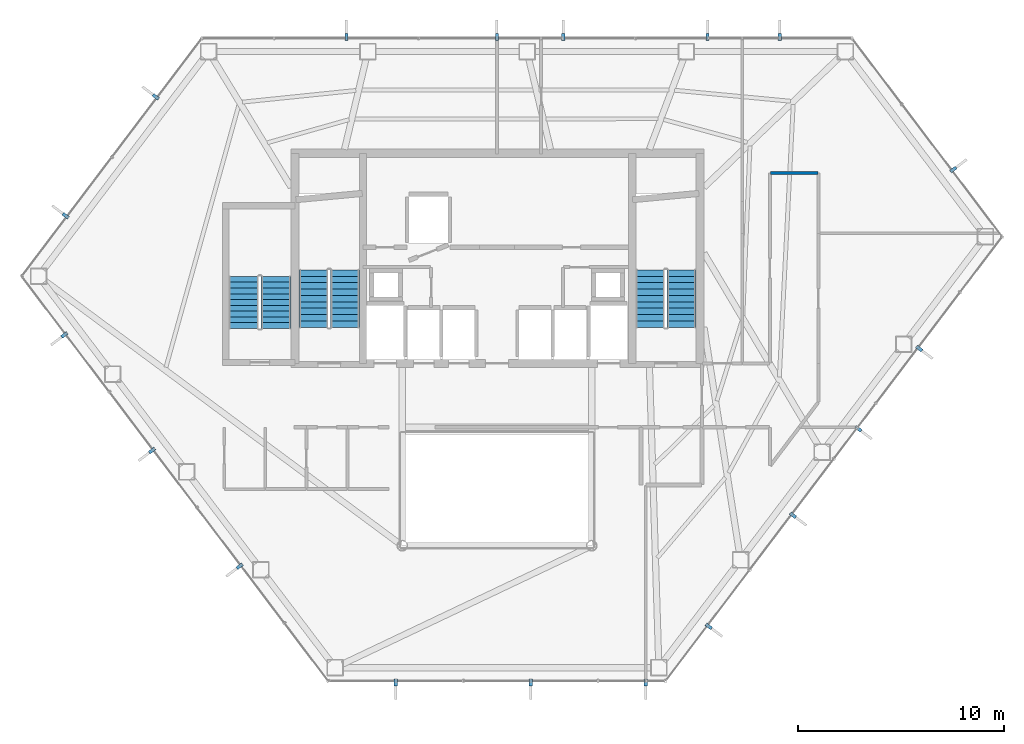
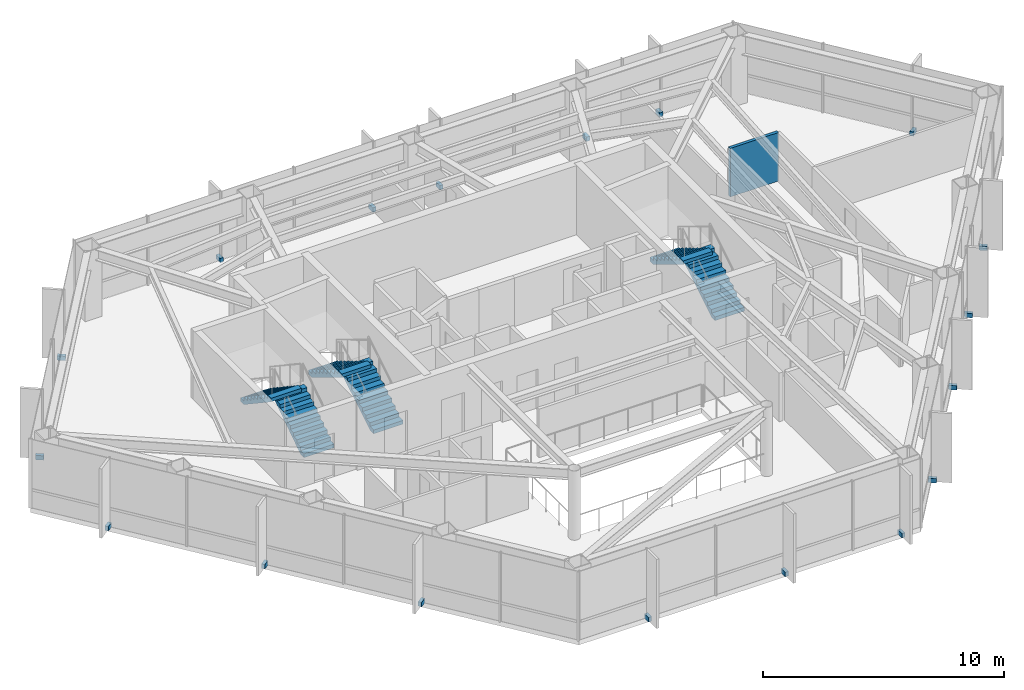
# One storey, part 27 of 28: 18 discrete accessories, 6 stair flights, 1 wall, 3 elements without a shape of their own.
"""IFC4 building model written with IfcOpenShell, lengths in metres."""

from ifc_helpers import new_model, si_unit, direction, frame, frame_2d, origin, origin_2d, place, context, subcontext, project, spatial, polyline, rectangle, outline, extrude, material, layer, layer_set, type_object, element, aggregate, save


model = new_model("IFC4")

# Units and contexts
model_context = context("Model", 3, precision=1e-05, world=origin(), true_north=direction((0.0, 1.0)))
body_context = subcontext(model_context, "Body", "Model", "MODEL_VIEW")
ifc_project = project(units=[si_unit("LENGTHUNIT", "METRE"), si_unit("AREAUNIT", "SQUARE_METRE"), si_unit("VOLUMEUNIT", "CUBIC_METRE"), si_unit("PLANEANGLEUNIT", "RADIAN"), si_unit("MASSUNIT", "GRAM", prefix="KILO")], contexts=[model_context])

# Site, building, storey
site_placement = place(None, origin())
site = spatial("IfcSite", under=ifc_project, at=site_placement, CompositionType="ELEMENT")
building_placement = place(site_placement, origin())
building = spatial("IfcBuilding", under=site, at=building_placement, Name="Zarrinselat Tower", CompositionType="ELEMENT")
storey_placement = place(building_placement, frame((0.0, 0.0, 145.860107421875)))
storey = spatial("IfcBuildingStorey", under=building, at=storey_placement, Name="L35", CompositionType="ELEMENT", Elevation=145.860107421875)

# Wall
ifc_material_1 = material(Name="Fire-Rated Gypsum Board Partition", Category="gypsum")
ifc_layer = layer(ifc_material_1, 0.14990234375)
ifc_layer_set = layer_set([ifc_layer], Name="Fire-Rated Gypsum Board Partition")
wall_type = type_object("IfcWallType", Name="WAL-PART-EI60", PredefinedType="PARTITIONING", material=ifc_layer_set)
wall_placement = place(storey_placement, frame((51.669921875, 42.5, 0.0), z_axis=(0.0, 0.0, 1.0), x_axis=(1.0, 0.0, 0.0)))
element("IfcWall", 1, at=wall_placement, inside=storey, type_object=wall_type, Name="L35 Partition Wall 26", PredefinedType="PARTITIONING", context=body_context, shape_type="SweptSolid", body=[
    extrude(rectangle(XDim=2.31005859375, YDim=0.14990234375, at=frame_2d((1.155029296875, 0.0))), origin(), (0.0, 0.0, 1.0), 2.456787109375),
])

# Stair, stair flights
ifc_material_2 = material(Name="Concrete C40/50", Category="concrete")
stair_type_1 = type_object("IfcStairType", Name="STR-CORE-145", PredefinedType="HALF_TURN_STAIR", material=ifc_material_2)
stair_1_placement = place(storey_placement, origin())
stair_1 = element("IfcStair", 2, at=stair_1_placement, inside=storey, type_object=stair_type_1, Name="L35 Podium & Mid-Tower Exit Stair 3", PredefinedType="HALF_TURN_STAIR")
ifc_material_3 = material(Name="Concrete C40/50", Category="concrete")
stair_flight_type_1 = type_object("IfcStairFlightType", Name="STR-FLT-145", PredefinedType="STRAIGHT", material=ifc_material_3)
stair_flight_1_placement = place(storey_placement, frame((27.675048828125, 34.949951171875, 0.0), z_axis=(0.0, 0.0, 1.0), x_axis=(0.0, 1.0, 0.0)))
stair_flight_1 = element("IfcStairFlight", 3, at=stair_flight_1_placement, type_object=stair_flight_type_1, Name="ST-3 flight 1", NumberOfRisers=10, NumberOfTreads=9, PredefinedType="STRAIGHT", RiserHeight=0.187, TreadLength=0.28, context=body_context, shape_type="SweptSolid", body=[
    extrude(outline(polyline([(0.0, 0.0), (0.0, 0.18701171875), (0.280029296875, 0.18701171875), (0.280029296875, 0.3740234375), (0.56005859375, 0.3740234375), (0.56005859375, 0.56103515625), (0.840087890625, 0.56103515625), (0.840087890625, 0.748046875), (1.1201171875, 0.748046875), (1.1201171875, 0.93505859375), (1.39990234375, 0.93505859375), (1.39990234375, 1.1220703125), (1.679931640625, 1.1220703125), (1.679931640625, 1.30908203125), (1.9599609375, 1.30908203125), (1.9599609375, 1.49609375), (2.239990234375, 1.49609375), (2.239990234375, 1.68310546875), (2.52001953125, 1.68310546875), (2.52001953125, 1.8701171875), (2.52001953125, 1.502685546875), (0.27001953125, 0.0), (0.0, 0.0)])), frame((0.0, 0.72509765625, 0.0), z_axis=(0.0, -1.0, 0.0), x_axis=(1.0, 0.0, 0.0)), (0.0, 0.0, 1.0), 1.449951171875),
])
stair_flight_2_placement = place(storey_placement, frame((26.10498046875, 37.469970703125, 1.869873046875), z_axis=(0.0, 0.0, 1.0), x_axis=(0.0, -1.0, 0.0)))
stair_flight_2 = element("IfcStairFlight", 4, at=stair_flight_2_placement, type_object=stair_flight_type_1, Name="ST-3 flight 2", NumberOfRisers=10, NumberOfTreads=9, PredefinedType="STRAIGHT", RiserHeight=0.187, TreadLength=0.28, context=body_context, shape_type="SweptSolid", body=[
    extrude(outline(polyline([(0.0, 0.0), (0.0, 0.18701171875), (0.280029296875, 0.18701171875), (0.280029296875, 0.3740234375), (0.56005859375, 0.3740234375), (0.56005859375, 0.56103515625), (0.840087890625, 0.56103515625), (0.840087890625, 0.748046875), (1.1201171875, 0.748046875), (1.1201171875, 0.93505859375), (1.39990234375, 0.93505859375), (1.39990234375, 1.1220703125), (1.679931640625, 1.1220703125), (1.679931640625, 1.30908203125), (1.9599609375, 1.30908203125), (1.9599609375, 1.49609375), (2.239990234375, 1.49609375), (2.239990234375, 1.68310546875), (2.52001953125, 1.68310546875), (2.52001953125, 1.8701171875), (2.52001953125, 1.502685546875), (0.27001953125, 0.0), (0.0, 0.0)])), frame((0.0, 0.72509765625, 0.0), z_axis=(0.0, -1.0, 0.0), x_axis=(1.0, 0.0, 0.0)), (0.0, 0.0, 1.0), 1.449951171875),
])
aggregate(stair_1, [stair_flight_1, stair_flight_2])

ifc_material_4 = material(Name="Concrete C40/50", Category="concrete")
stair_type_2 = type_object("IfcStairType", Name="STR-CORE-155", PredefinedType="HALF_TURN_STAIR", material=ifc_material_4)
stair_2_placement = place(storey_placement, origin())
stair_2 = element("IfcStair", 5, at=stair_2_placement, inside=storey, type_object=stair_type_2, Name="L35 Core Exit Stair 1", PredefinedType="HALF_TURN_STAIR")
ifc_material_5 = material(Name="Concrete C40/50", Category="concrete")
stair_flight_type_2 = type_object("IfcStairFlightType", Name="STR-FLT-155", PredefinedType="STRAIGHT", material=ifc_material_5)
stair_flight_3_placement = place(storey_placement, frame((31.02001953125, 35.0, 0.0), z_axis=(0.0, 0.0, 1.0), x_axis=(0.0, 1.0, 0.0)))
stair_flight_3 = element("IfcStairFlight", 6, at=stair_flight_3_placement, type_object=stair_flight_type_2, Name="ST-1 flight 1", NumberOfRisers=10, NumberOfTreads=9, PredefinedType="STRAIGHT", RiserHeight=0.187, TreadLength=0.31, context=body_context, shape_type="SweptSolid", body=[
    extrude(outline(polyline([(0.0, 0.0), (0.0, 0.18701171875), (0.31005859375, 0.18701171875), (0.31005859375, 0.3740234375), (0.6201171875, 0.3740234375), (0.6201171875, 0.56103515625), (0.929931640625, 0.56103515625), (0.929931640625, 0.748046875), (1.239990234375, 0.748046875), (1.239990234375, 0.93505859375), (1.550048828125, 0.93505859375), (1.550048828125, 1.1220703125), (1.860107421875, 1.1220703125), (1.860107421875, 1.30908203125), (2.169921875, 1.30908203125), (2.169921875, 1.49609375), (2.47998046875, 1.49609375), (2.47998046875, 1.68310546875), (2.7900390625, 1.68310546875), (2.7900390625, 1.8701171875), (2.7900390625, 1.508056640625), (0.290283203125, 0.0), (0.0, 0.0)])), frame((0.0, 0.699951171875, 0.0), z_axis=(0.0, -1.0, 0.0), x_axis=(1.0, 0.0, 0.0)), (0.0, 0.0, 1.0), 1.39990234375),
])
stair_flight_4_placement = place(storey_placement, frame((29.5, 37.7900390625, 1.869873046875), z_axis=(0.0, 0.0, 1.0), x_axis=(0.0, -1.0, 0.0)))
stair_flight_4 = element("IfcStairFlight", 7, at=stair_flight_4_placement, type_object=stair_flight_type_2, Name="ST-1 flight 2", NumberOfRisers=10, NumberOfTreads=9, PredefinedType="STRAIGHT", RiserHeight=0.187, TreadLength=0.31, context=body_context, shape_type="SweptSolid", body=[
    extrude(outline(polyline([(0.0, 0.0), (0.0, 0.18701171875), (0.31005859375, 0.18701171875), (0.31005859375, 0.3740234375), (0.6201171875, 0.3740234375), (0.6201171875, 0.56103515625), (0.929931640625, 0.56103515625), (0.929931640625, 0.748046875), (1.239990234375, 0.748046875), (1.239990234375, 0.93505859375), (1.550048828125, 0.93505859375), (1.550048828125, 1.1220703125), (1.860107421875, 1.1220703125), (1.860107421875, 1.30908203125), (2.169921875, 1.30908203125), (2.169921875, 1.49609375), (2.47998046875, 1.49609375), (2.47998046875, 1.68310546875), (2.7900390625, 1.68310546875), (2.7900390625, 1.8701171875), (2.7900390625, 1.508056640625), (0.290283203125, 0.0), (0.0, 0.0)])), frame((0.0, 0.699951171875, 0.0), z_axis=(0.0, -1.0, 0.0), x_axis=(1.0, 0.0, 0.0)), (0.0, 0.0, 1.0), 1.39990234375),
])
aggregate(stair_2, [stair_flight_3, stair_flight_4])

stair_3_placement = place(storey_placement, origin())
stair_3 = element("IfcStair", 8, at=stair_3_placement, inside=storey, type_object=stair_type_2, Name="L35 Core Exit Stair 2", PredefinedType="HALF_TURN_STAIR")
stair_flight_5_placement = place(storey_placement, frame((47.360107421875, 35.0, 0.0), z_axis=(0.0, 0.0, 1.0), x_axis=(0.0, 1.0, 0.0)))
stair_flight_5 = element("IfcStairFlight", 9, at=stair_flight_5_placement, type_object=stair_flight_type_2, Name="ST-2 flight 1", NumberOfRisers=10, NumberOfTreads=9, PredefinedType="STRAIGHT", RiserHeight=0.187, TreadLength=0.31, context=body_context, shape_type="SweptSolid", body=[
    extrude(outline(polyline([(0.0, 0.0), (0.0, 0.18701171875), (0.31005859375, 0.18701171875), (0.31005859375, 0.3740234375), (0.6201171875, 0.3740234375), (0.6201171875, 0.56103515625), (0.929931640625, 0.56103515625), (0.929931640625, 0.748046875), (1.239990234375, 0.748046875), (1.239990234375, 0.93505859375), (1.550048828125, 0.93505859375), (1.550048828125, 1.1220703125), (1.860107421875, 1.1220703125), (1.860107421875, 1.30908203125), (2.169921875, 1.30908203125), (2.169921875, 1.49609375), (2.47998046875, 1.49609375), (2.47998046875, 1.68310546875), (2.7900390625, 1.68310546875), (2.7900390625, 1.8701171875), (2.7900390625, 1.508056640625), (0.290283203125, 0.0), (0.0, 0.0)])), frame((0.0, 0.699951171875, 0.0), z_axis=(0.0, -1.0, 0.0), x_axis=(1.0, 0.0, 0.0)), (0.0, 0.0, 1.0), 1.39990234375),
])
stair_flight_6_placement = place(storey_placement, frame((45.840087890625, 37.7900390625, 1.869873046875), z_axis=(0.0, 0.0, 1.0), x_axis=(0.0, -1.0, 0.0)))
stair_flight_6 = element("IfcStairFlight", 10, at=stair_flight_6_placement, type_object=stair_flight_type_2, Name="ST-2 flight 2", NumberOfRisers=10, NumberOfTreads=9, PredefinedType="STRAIGHT", RiserHeight=0.187, TreadLength=0.31, context=body_context, shape_type="SweptSolid", body=[
    extrude(outline(polyline([(0.0, 0.0), (0.0, 0.18701171875), (0.31005859375, 0.18701171875), (0.31005859375, 0.3740234375), (0.6201171875, 0.3740234375), (0.6201171875, 0.56103515625), (0.929931640625, 0.56103515625), (0.929931640625, 0.748046875), (1.239990234375, 0.748046875), (1.239990234375, 0.93505859375), (1.550048828125, 0.93505859375), (1.550048828125, 1.1220703125), (1.860107421875, 1.1220703125), (1.860107421875, 1.30908203125), (2.169921875, 1.30908203125), (2.169921875, 1.49609375), (2.47998046875, 1.49609375), (2.47998046875, 1.68310546875), (2.7900390625, 1.68310546875), (2.7900390625, 1.8701171875), (2.7900390625, 1.508056640625), (0.290283203125, 0.0), (0.0, 0.0)])), frame((0.0, 0.699951171875, 0.0), z_axis=(0.0, -1.0, 0.0), x_axis=(1.0, 0.0, 0.0)), (0.0, 0.0, 1.0), 1.39990234375),
])
aggregate(stair_3, [stair_flight_5, stair_flight_6])

# Discrete accessories
ifc_material_6 = material(Name="Steel S355J2", Category="steel")
discrete_accessory_type = type_object("IfcDiscreteAccessoryType", Name="ACC-FIN-BRACKET", PredefinedType="BRACKET", material=ifc_material_6)
for number, where, z_axis, x_axis, name in (
    (11, (52.126953125, 49.103271484375, -0.05029296875), (0.0, 0.0, 1.0), (0.0, 1.0, 0.0), "L35 Fin Fixing Bracket CW-L35-E01-01"),
    (12, (48.621337890625, 49.103271484375, -0.05029296875), (0.0, 0.0, 1.0), (0.0, 1.0, 0.0), "L35 Fin Fixing Bracket CW-L35-E01-03"),
    (13, (41.610107421875, 49.103271484375, -0.05029296875), (0.0, 0.0, 1.0), (0.0, 1.0, 0.0), "L35 Fin Fixing Bracket CW-L35-E01-05"),
    (14, (38.39990234375, 49.103271484375, -0.05029296875), (0.0, 0.0, 1.0), (0.0, 1.0, 0.0), "L35 Fin Fixing Bracket CW-L35-E01-07"),
    (15, (31.093017578125, 49.103271484375, -0.05029296875), (0.0, 0.0, 1.0), (0.0, 1.0, 0.0), "L35 Fin Fixing Bracket CW-L35-E01-09"),
    (16, (21.83837890625, 46.18798828125, -0.05029296875), (0.0, 0.0, 1.0), (-0.797092148154, 0.603857687995, 0.0), "L35 Fin Fixing Bracket CW-L35-E02-01"),
    (17, (17.46337890625, 40.4130859375, -0.05029296875), (0.0, 0.0, 1.0), (-0.797092148154, 0.603857687995, 0.0), "L35 Fin Fixing Bracket CW-L35-E02-03"),
    (18, (17.40283203125, 34.633544921875, -0.05029296875), (0.0, 0.0, 1.0), (-0.7970926806, -0.603856985167, 0.0), "L35 Fin Fixing Bracket CW-L35-E03-01"),
    (19, (21.656494140625, 29.018798828125, -0.05029296875), (0.0, 0.0, 1.0), (-0.7970926806, -0.603856985167, 0.0), "L35 Fin Fixing Bracket CW-L35-E03-03"),
    (20, (25.91015625, 23.404052734375, -0.05029296875), (0.0, 0.0, 1.0), (-0.7970926806, -0.603856985167, 0.0), "L35 Fin Fixing Bracket CW-L35-E03-05"),
    (21, (33.49169921875, 17.761474609375, -0.05029296875), (0.0, 0.0, 1.0), (0.0, -1.0, 0.0), "L35 Fin Fixing Bracket CW-L35-E04-01"),
    (22, (40.0361328125, 17.761474609375, -0.05029296875), (0.0, 0.0, 1.0), (0.0, -1.0, 0.0), "L35 Fin Fixing Bracket CW-L35-E04-03"),
    (23, (45.61865234375, 17.761474609375, -0.05029296875), (0.0, 0.0, 1.0), (0.0, -1.0, 0.0), "L35 Fin Fixing Bracket CW-L35-E04-05"),
    (24, (48.679443359375, 20.486083984375, -0.05029296875), (0.0, 0.0, 1.0), (0.797092148154, -0.603857687995, 0.0), "L35 Fin Fixing Bracket CW-L35-E05-01"),
    (25, (52.765625, 25.8798828125, -0.05029296875), (0.0, 0.0, 1.0), (0.797092148154, -0.603857687995, 0.0), "L35 Fin Fixing Bracket CW-L35-E05-03"),
    (26, (55.94091796875, 30.071533203125, -0.05029296875), (0.0, 0.0, 1.0), (0.797092148154, -0.603857687995, 0.0), "L35 Fin Fixing Bracket CW-L35-E05-05"),
    (27, (58.89501953125, 33.970703125, -0.05029296875), (0.0, 0.0, 1.0), (0.797092148154, -0.603857687995, 0.0), "L35 Fin Fixing Bracket CW-L35-E05-07"),
    (28, (60.55029296875, 42.657958984375, -0.05029296875), (0.0, 0.0, 1.0), (0.797089249573, 0.603861514104, 0.0), "L35 Fin Fixing Bracket CW-L35-E06-01"),
):
    element("IfcDiscreteAccessory", number, at=place(storey_placement, frame(where, z_axis=z_axis, x_axis=x_axis)), inside=storey, type_object=discrete_accessory_type, Name=name, PredefinedType="BRACKET", context=body_context, shape_type="SweptSolid", body=[
        extrude(rectangle(XDim=0.340087890625, YDim=0.159912109375, at=origin_2d()), origin(), (0.0, 0.0, 1.0), 0.219970703125),
    ])

save(model, "model.ifc")
